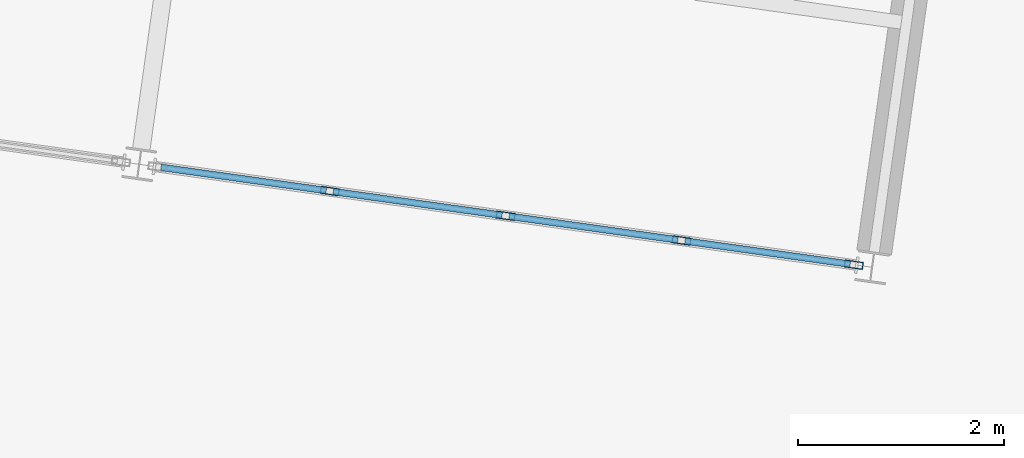
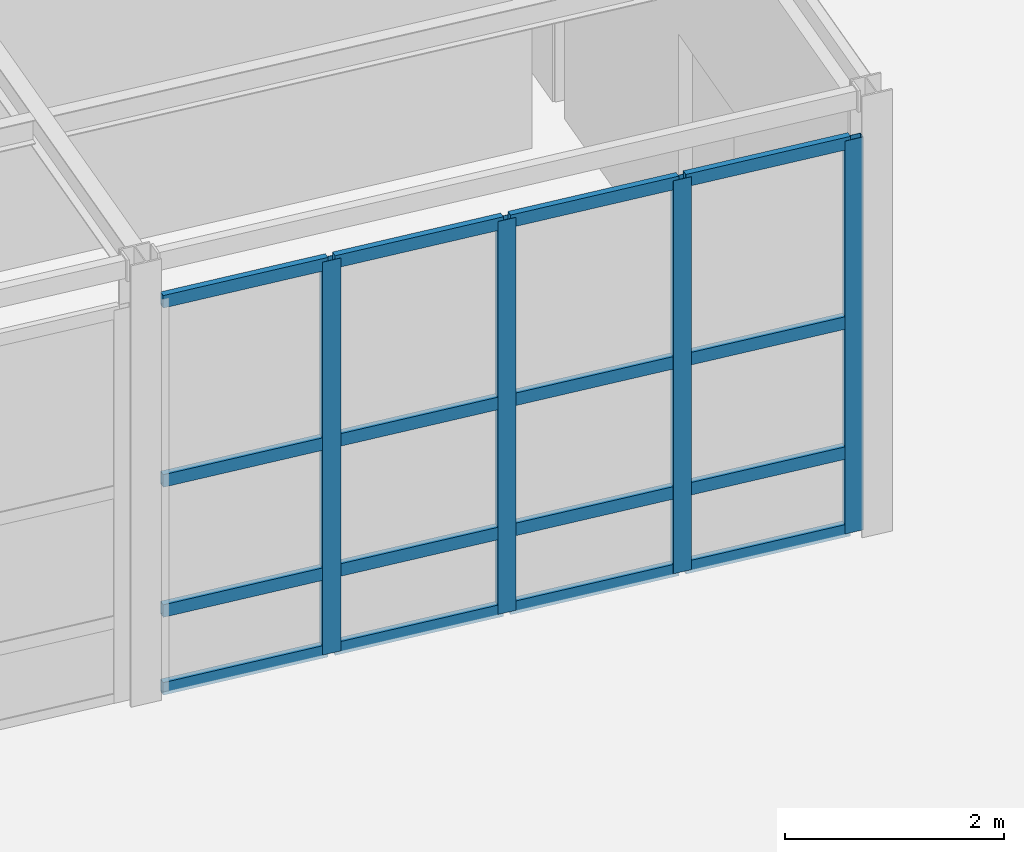
# One storey, part 22 of 57: 20 members, 1 element without a shape of its own.
"""IFC4 building model written with IfcOpenShell, lengths in metres."""

from ifc_helpers import new_model, si_unit, direction, frame, origin, origin_2d, place, context, subcontext, project, spatial, hollow_rectangle, extrude, material, layer, layer_set, material_profile, profile_set, type_object, element, aggregate, save


model = new_model("IFC4")

# Units and contexts
model_context = context("Model", 3, precision=1e-05, world=origin(), true_north=direction((0.0, 1.0)))
body_context = subcontext(model_context, "Body", "Model", "MODEL_VIEW")
ifc_project = project(units=[si_unit("LENGTHUNIT", "METRE"), si_unit("AREAUNIT", "SQUARE_METRE"), si_unit("VOLUMEUNIT", "CUBIC_METRE"), si_unit("PLANEANGLEUNIT", "RADIAN"), si_unit("MASSUNIT", "GRAM", prefix="KILO")], contexts=[model_context])

# Site, building, storey
site_placement = place(None, origin())
site = spatial("IfcSite", under=ifc_project, at=site_placement, CompositionType="ELEMENT")
building_placement = place(site_placement, origin())
building = spatial("IfcBuilding", under=site, at=building_placement, Name="Kharisveld Research Institute", CompositionType="ELEMENT")
storey_placement = place(building_placement, origin())
storey = spatial("IfcBuildingStorey", under=building, at=storey_placement, Name="L00", CompositionType="ELEMENT", Elevation=0.0)

# Curtain wall, members
ifc_material_1 = material(Name="Thermally Broken Aluminium Curtain Wall", Category="aluminium")
ifc_layer = layer(ifc_material_1, 0.159912109375)
ifc_layer_set = layer_set([ifc_layer], Name="CW_SYS_05")
curtain_wall_type = type_object("IfcCurtainWallType", Name="CW_SYS_05", PredefinedType="NOTDEFINED", material=ifc_layer_set)
curtain_wall_placement = place(storey_placement, origin())
curtain_wall = element("IfcCurtainWall", 1, at=curtain_wall_placement, inside=storey, type_object=curtain_wall_type, Name="CW:V4:L00:S4", PredefinedType="NOTDEFINED")
ifc_material_2 = material(Name="Anodised Aluminium AW-6063-T6", Category="aluminium")
ifc_material_profile_1 = material_profile(ifc_material_2, hollow_rectangle(XDim=0.070068359375, YDim=0.179931640625, WallThickness=0.00439453125, at=origin_2d()))
ifc_profile_set_1 = profile_set([ifc_material_profile_1], Name="Anodised Aluminium AW-6063-T6")
member_type_1 = type_object("IfcMemberType", Name="CW_MUL_180", PredefinedType="MULLION", material=ifc_profile_set_1)
member_1_placement = place(storey_placement, frame((103.341552734375, 13.516845703125, 0.0), z_axis=(0.0, 0.0, 1.0), x_axis=(-0.139173089933, -0.990268070291, 0.0)))
member_1 = element("IfcMember", 2, at=member_1_placement, type_object=member_type_1, Name="CW-05 mullion 1", PredefinedType="MULLION", context=body_context, shape_type="SweptSolid", body=[
    extrude(hollow_rectangle(XDim=0.070068359375, YDim=0.179931640625, WallThickness=0.00439453125, at=origin_2d()), origin(), (0.0, 0.0, 1.0), 4.3798828125),
])
member_2_placement = place(storey_placement, frame((101.66552734375, 13.75244140625, 0.0), z_axis=(0.0, 0.0, 1.0), x_axis=(-0.139173089933, -0.990268070291, 0.0)))
member_2 = element("IfcMember", 3, at=member_2_placement, type_object=member_type_1, Name="CW-05 mullion 2", PredefinedType="MULLION", context=body_context, shape_type="SweptSolid", body=[
    extrude(hollow_rectangle(XDim=0.070068359375, YDim=0.179931640625, WallThickness=0.00439453125, at=origin_2d()), origin(), (0.0, 0.0, 1.0), 4.3798828125),
])
member_3_placement = place(storey_placement, frame((99.954833984375, 13.992919921875, 0.0), z_axis=(0.0, 0.0, 1.0), x_axis=(-0.139173089933, -0.990268070291, 0.0)))
member_3 = element("IfcMember", 4, at=member_3_placement, type_object=member_type_1, Name="CW-05 mullion 3", PredefinedType="MULLION", context=body_context, shape_type="SweptSolid", body=[
    extrude(hollow_rectangle(XDim=0.070068359375, YDim=0.179931640625, WallThickness=0.00439453125, at=origin_2d()), origin(), (0.0, 0.0, 1.0), 4.3798828125),
])
member_4_placement = place(storey_placement, frame((98.244140625, 14.233154296875, 0.0), z_axis=(0.0, 0.0, 1.0), x_axis=(-0.139173089933, -0.990268070291, 0.0)))
member_4 = element("IfcMember", 5, at=member_4_placement, type_object=member_type_1, Name="CW-05 mullion 4", PredefinedType="MULLION", context=body_context, shape_type="SweptSolid", body=[
    extrude(hollow_rectangle(XDim=0.070068359375, YDim=0.179931640625, WallThickness=0.00439453125, at=origin_2d()), origin(), (0.0, 0.0, 1.0), 4.3798828125),
])
ifc_material_3 = material(Name="Anodised Aluminium AW-6063-T6", Category="aluminium")
ifc_material_profile_2 = material_profile(ifc_material_3, hollow_rectangle(XDim=0.06494140625, YDim=0.139892578125, WallThickness=0.00390625, at=origin_2d()))
ifc_profile_set_2 = profile_set([ifc_material_profile_2], Name="Anodised Aluminium AW-6063-T6")
member_type_2 = type_object("IfcMemberType", Name="CW_TRN_140", PredefinedType="USERDEFINED", material=ifc_profile_set_2)
member_5_placement = place(storey_placement, frame((103.306884765625, 13.521728515625, 0.032470703125), z_axis=(-0.990265978922, 0.13918796999, 0.0), x_axis=(-0.13918796999, -0.990265978922, 0.0)))
member_5 = element("IfcMember", 6, at=member_5_placement, type_object=member_type_2, Name="CW-05 transom 1.1", ObjectType="TRANSOM", PredefinedType="USERDEFINED", context=body_context, shape_type="SweptSolid", body=[
    extrude(hollow_rectangle(XDim=0.06494140625, YDim=0.139892578125, WallThickness=0.00390625, at=origin_2d()), origin(), (0.0, 0.0, 1.0), 1.62255859375),
])
member_6_placement = place(storey_placement, frame((103.306884765625, 13.521728515625, 0.89990234375), z_axis=(-0.990265978922, 0.13918796999, 0.0), x_axis=(-0.13918796999, -0.990265978922, 0.0)))
member_6 = element("IfcMember", 7, at=member_6_placement, type_object=member_type_2, Name="CW-05 transom 1.2", ObjectType="TRANSOM", PredefinedType="USERDEFINED", context=body_context, shape_type="SweptSolid", body=[
    extrude(hollow_rectangle(XDim=0.06494140625, YDim=0.139892578125, WallThickness=0.00390625, at=origin_2d()), origin(), (0.0, 0.0, 1.0), 1.62255859375),
])
member_7_placement = place(storey_placement, frame((103.306884765625, 13.521728515625, 2.35009765625), z_axis=(-0.990265978922, 0.13918796999, 0.0), x_axis=(-0.13918796999, -0.990265978922, 0.0)))
member_7 = element("IfcMember", 8, at=member_7_placement, type_object=member_type_2, Name="CW-05 transom 1.3", ObjectType="TRANSOM", PredefinedType="USERDEFINED", context=body_context, shape_type="SweptSolid", body=[
    extrude(hollow_rectangle(XDim=0.06494140625, YDim=0.139892578125, WallThickness=0.00390625, at=origin_2d()), origin(), (0.0, 0.0, 1.0), 1.62255859375),
])
member_8_placement = place(storey_placement, frame((103.306884765625, 13.521728515625, 4.347412109375), z_axis=(-0.990265978922, 0.13918796999, 0.0), x_axis=(-0.13918796999, -0.990265978922, 0.0)))
member_8 = element("IfcMember", 9, at=member_8_placement, type_object=member_type_2, Name="CW-05 transom 1.4", ObjectType="TRANSOM", PredefinedType="USERDEFINED", context=body_context, shape_type="SweptSolid", body=[
    extrude(hollow_rectangle(XDim=0.06494140625, YDim=0.139892578125, WallThickness=0.00390625, at=origin_2d()), origin(), (0.0, 0.0, 1.0), 1.62255859375),
])
member_9_placement = place(storey_placement, frame((101.630859375, 13.75732421875, 0.032470703125), z_axis=(-0.990265145964, 0.139193896019, 0.0), x_axis=(-0.139193896019, -0.990265145964, 0.0)))
member_9 = element("IfcMember", 10, at=member_9_placement, type_object=member_type_2, Name="CW-05 transom 2.1", ObjectType="TRANSOM", PredefinedType="USERDEFINED", context=body_context, shape_type="SweptSolid", body=[
    extrude(hollow_rectangle(XDim=0.06494140625, YDim=0.139892578125, WallThickness=0.00390625, at=origin_2d()), origin(), (0.0, 0.0, 1.0), 1.657470703125),
])
member_10_placement = place(storey_placement, frame((101.630859375, 13.75732421875, 0.89990234375), z_axis=(-0.990265145964, 0.139193896019, 0.0), x_axis=(-0.139193896019, -0.990265145964, 0.0)))
member_10 = element("IfcMember", 11, at=member_10_placement, type_object=member_type_2, Name="CW-05 transom 2.2", ObjectType="TRANSOM", PredefinedType="USERDEFINED", context=body_context, shape_type="SweptSolid", body=[
    extrude(hollow_rectangle(XDim=0.06494140625, YDim=0.139892578125, WallThickness=0.00390625, at=origin_2d()), origin(), (0.0, 0.0, 1.0), 1.657470703125),
])
member_11_placement = place(storey_placement, frame((101.630859375, 13.75732421875, 2.35009765625), z_axis=(-0.990265145964, 0.139193896019, 0.0), x_axis=(-0.139193896019, -0.990265145964, 0.0)))
member_11 = element("IfcMember", 12, at=member_11_placement, type_object=member_type_2, Name="CW-05 transom 2.3", ObjectType="TRANSOM", PredefinedType="USERDEFINED", context=body_context, shape_type="SweptSolid", body=[
    extrude(hollow_rectangle(XDim=0.06494140625, YDim=0.139892578125, WallThickness=0.00390625, at=origin_2d()), origin(), (0.0, 0.0, 1.0), 1.657470703125),
])
member_12_placement = place(storey_placement, frame((101.630859375, 13.75732421875, 4.347412109375), z_axis=(-0.990265145964, 0.139193896019, 0.0), x_axis=(-0.139193896019, -0.990265145964, 0.0)))
member_12 = element("IfcMember", 13, at=member_12_placement, type_object=member_type_2, Name="CW-05 transom 2.4", ObjectType="TRANSOM", PredefinedType="USERDEFINED", context=body_context, shape_type="SweptSolid", body=[
    extrude(hollow_rectangle(XDim=0.06494140625, YDim=0.139892578125, WallThickness=0.00390625, at=origin_2d()), origin(), (0.0, 0.0, 1.0), 1.657470703125),
])
member_13_placement = place(storey_placement, frame((99.920166015625, 13.997802734375, 0.032470703125), z_axis=(-0.990285438838, 0.139049450285, 0.0), x_axis=(-0.139049450285, -0.990285438838, 0.0)))
member_13 = element("IfcMember", 14, at=member_13_placement, type_object=member_type_2, Name="CW-05 transom 3.1", ObjectType="TRANSOM", PredefinedType="USERDEFINED", context=body_context, shape_type="SweptSolid", body=[
    extrude(hollow_rectangle(XDim=0.06494140625, YDim=0.139892578125, WallThickness=0.00390625, at=origin_2d()), origin(), (0.0, 0.0, 1.0), 1.657470703125),
])
member_14_placement = place(storey_placement, frame((99.920166015625, 13.997802734375, 0.89990234375), z_axis=(-0.990285438838, 0.139049450285, 0.0), x_axis=(-0.139049450285, -0.990285438838, 0.0)))
member_14 = element("IfcMember", 15, at=member_14_placement, type_object=member_type_2, Name="CW-05 transom 3.2", ObjectType="TRANSOM", PredefinedType="USERDEFINED", context=body_context, shape_type="SweptSolid", body=[
    extrude(hollow_rectangle(XDim=0.06494140625, YDim=0.139892578125, WallThickness=0.00390625, at=origin_2d()), origin(), (0.0, 0.0, 1.0), 1.657470703125),
])
member_15_placement = place(storey_placement, frame((99.920166015625, 13.997802734375, 2.35009765625), z_axis=(-0.990285438838, 0.139049450285, 0.0), x_axis=(-0.139049450285, -0.990285438838, 0.0)))
member_15 = element("IfcMember", 16, at=member_15_placement, type_object=member_type_2, Name="CW-05 transom 3.3", ObjectType="TRANSOM", PredefinedType="USERDEFINED", context=body_context, shape_type="SweptSolid", body=[
    extrude(hollow_rectangle(XDim=0.06494140625, YDim=0.139892578125, WallThickness=0.00390625, at=origin_2d()), origin(), (0.0, 0.0, 1.0), 1.657470703125),
])
member_16_placement = place(storey_placement, frame((99.920166015625, 13.997802734375, 4.347412109375), z_axis=(-0.990285438838, 0.139049450285, 0.0), x_axis=(-0.139049450285, -0.990285438838, 0.0)))
member_16 = element("IfcMember", 17, at=member_16_placement, type_object=member_type_2, Name="CW-05 transom 3.4", ObjectType="TRANSOM", PredefinedType="USERDEFINED", context=body_context, shape_type="SweptSolid", body=[
    extrude(hollow_rectangle(XDim=0.06494140625, YDim=0.139892578125, WallThickness=0.00390625, at=origin_2d()), origin(), (0.0, 0.0, 1.0), 1.657470703125),
])
member_17_placement = place(storey_placement, frame((98.20947265625, 14.238037109375, 0.032470703125), z_axis=(-0.990265978922, 0.13918796999, 0.0), x_axis=(-0.13918796999, -0.990265978922, 0.0)))
member_17 = element("IfcMember", 18, at=member_17_placement, type_object=member_type_2, Name="CW-05 transom 4.1", ObjectType="TRANSOM", PredefinedType="USERDEFINED", context=body_context, shape_type="SweptSolid", body=[
    extrude(hollow_rectangle(XDim=0.06494140625, YDim=0.139892578125, WallThickness=0.00390625, at=origin_2d()), origin(), (0.0, 0.0, 1.0), 1.62255859375),
])
member_18_placement = place(storey_placement, frame((98.20947265625, 14.238037109375, 0.89990234375), z_axis=(-0.990265978922, 0.13918796999, 0.0), x_axis=(-0.13918796999, -0.990265978922, 0.0)))
member_18 = element("IfcMember", 19, at=member_18_placement, type_object=member_type_2, Name="CW-05 transom 4.2", ObjectType="TRANSOM", PredefinedType="USERDEFINED", context=body_context, shape_type="SweptSolid", body=[
    extrude(hollow_rectangle(XDim=0.06494140625, YDim=0.139892578125, WallThickness=0.00390625, at=origin_2d()), origin(), (0.0, 0.0, 1.0), 1.62255859375),
])
member_19_placement = place(storey_placement, frame((98.20947265625, 14.238037109375, 2.35009765625), z_axis=(-0.990265978922, 0.13918796999, 0.0), x_axis=(-0.13918796999, -0.990265978922, 0.0)))
member_19 = element("IfcMember", 20, at=member_19_placement, type_object=member_type_2, Name="CW-05 transom 4.3", ObjectType="TRANSOM", PredefinedType="USERDEFINED", context=body_context, shape_type="SweptSolid", body=[
    extrude(hollow_rectangle(XDim=0.06494140625, YDim=0.139892578125, WallThickness=0.00390625, at=origin_2d()), origin(), (0.0, 0.0, 1.0), 1.62255859375),
])
member_20_placement = place(storey_placement, frame((98.20947265625, 14.238037109375, 4.347412109375), z_axis=(-0.990265978922, 0.13918796999, 0.0), x_axis=(-0.13918796999, -0.990265978922, 0.0)))
member_20 = element("IfcMember", 21, at=member_20_placement, type_object=member_type_2, Name="CW-05 transom 4.4", ObjectType="TRANSOM", PredefinedType="USERDEFINED", context=body_context, shape_type="SweptSolid", body=[
    extrude(hollow_rectangle(XDim=0.06494140625, YDim=0.139892578125, WallThickness=0.00390625, at=origin_2d()), origin(), (0.0, 0.0, 1.0), 1.62255859375),
])
aggregate(curtain_wall, [member_1, member_2, member_3, member_4, member_5, member_6, member_7, member_8, member_9, member_10, member_11, member_12, member_13, member_14, member_15, member_16, member_17, member_18, member_19, member_20])

save(model, "model.ifc")
